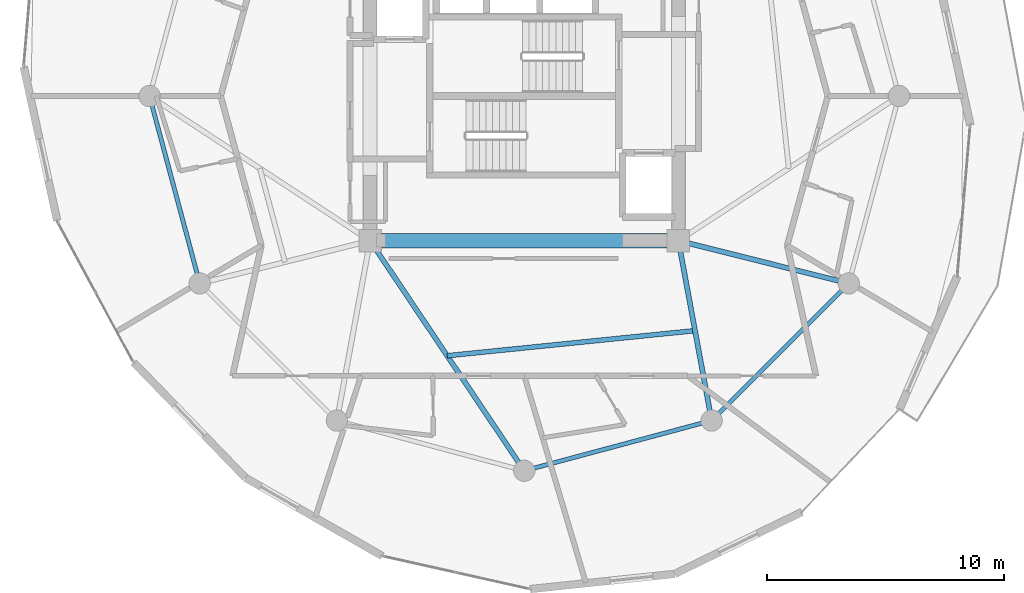
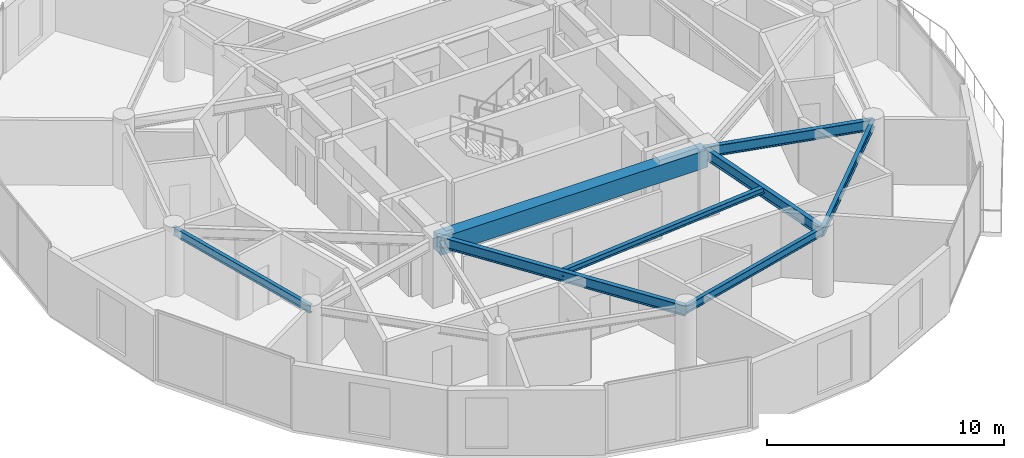
# One storey, part 6 of 23: 8 beams.
"""IFC4 building model written with IfcOpenShell, lengths in metres."""

from ifc_helpers import new_model, si_unit, direction, frame, origin, origin_2d, place, context, subcontext, project, spatial, rectangle, i_section, extrude, material, material_profile, profile_set, type_object, element, save


model = new_model("IFC4")

# Units and contexts
model_context = context("Model", 3, precision=1e-05, world=origin(), true_north=direction((0.0, 1.0)))
body_context = subcontext(model_context, "Body", "Model", "MODEL_VIEW")
ifc_project = project(units=[si_unit("LENGTHUNIT", "METRE"), si_unit("AREAUNIT", "SQUARE_METRE"), si_unit("VOLUMEUNIT", "CUBIC_METRE"), si_unit("PLANEANGLEUNIT", "RADIAN"), si_unit("MASSUNIT", "GRAM", prefix="KILO")], contexts=[model_context])

# Site, building, storey
site_placement = place(None, origin())
site = spatial("IfcSite", under=ifc_project, at=site_placement, CompositionType="ELEMENT")
building_placement = place(site_placement, origin())
building = spatial("IfcBuilding", under=site, at=building_placement, Name="Solvirekh Grand Hotel", CompositionType="ELEMENT")
storey_placement = place(building_placement, frame((0.0, 0.0, 180.39990234375)))
storey = spatial("IfcBuildingStorey", under=building, at=storey_placement, Name="L46", CompositionType="ELEMENT", Elevation=180.39990234375)

# Beams
ifc_material_1 = material(Name="Concrete C50/60", Category="concrete")
ifc_material_profile_1 = material_profile(ifc_material_1, rectangle(XDim=0.60009765625, YDim=0.89990234375, at=origin_2d()), Name="RC BEAM 600X900")
ifc_profile_set_1 = profile_set([ifc_material_profile_1], Name="Concrete C50/60")
beam_type_1 = type_object("IfcBeamType", Name="Beam_Core_RC900", PredefinedType="BEAM", material=ifc_profile_set_1)
beam_1_placement = place(storey_placement, frame((-6.5, -6.10009765625, 2.91015625), z_axis=(1.0, 0.0, 0.0), x_axis=(0.0, 1.0, 0.0)))
element("IfcBeam", 1, at=beam_1_placement, inside=storey, type_object=beam_type_1, Name="L46 core coupling ring beam 1", PredefinedType="BEAM", context=body_context, shape_type="SweptSolid", body=[
    extrude(rectangle(XDim=0.60009765625, YDim=0.89990234375, at=origin_2d()), origin(), (0.0, 0.0, 1.0), 13.0),
])
ifc_material_2 = material(Name="Steel S355", Category="steel")
ifc_material_profile_2 = material_profile(ifc_material_2, i_section(OverallWidth=0.2119140625, OverallDepth=0.5439453125, WebThickness=0.011962890625, FlangeThickness=0.01904296875, FilletRadius=0.013916015625, at=origin_2d()), Name="W530X123")
ifc_profile_set_2 = profile_set([ifc_material_profile_2], Name="Steel S355")
beam_type_2 = type_object("IfcBeamType", Name="Beam_Radial_W530H", PredefinedType="BEAM", material=ifc_profile_set_2)
beam_2_placement = place(storey_placement, frame((-6.5, -6.10009765625, 3.088134765625), z_axis=(0.556676926176, -0.830729077295, 0.0), x_axis=(0.830729077295, 0.556676926176, 0.0)))
element("IfcBeam", 2, at=beam_2_placement, inside=storey, type_object=beam_type_2, Name="L46 radial floor beam R10", PredefinedType="BEAM", context=body_context, shape_type="SweptSolid", body=[
    extrude(i_section(OverallWidth=0.2119140625, OverallDepth=0.5439453125, WebThickness=0.011962890625, FlangeThickness=0.01904296875, FilletRadius=0.013916015625, at=origin_2d()), origin(), (0.0, 0.0, 1.0), 11.676513671875),
])
beam_3_placement = place(storey_placement, frame((6.5, -6.10009765625, 3.088134765625), z_axis=(0.181542769111, -0.983383049978, 0.0), x_axis=(0.983383049978, 0.181542769111, 0.0)))
element("IfcBeam", 3, at=beam_3_placement, inside=storey, type_object=beam_type_2, Name="L46 radial floor beam R11", PredefinedType="BEAM", context=body_context, shape_type="SweptSolid", body=[
    extrude(i_section(OverallWidth=0.2119140625, OverallDepth=0.5439453125, WebThickness=0.011962890625, FlangeThickness=0.01904296875, FilletRadius=0.013916015625, at=origin_2d()), origin(), (0.0, 0.0, 1.0), 7.711181640625),
])
beam_4_placement = place(storey_placement, frame((6.5, -6.10009765625, 3.088134765625), z_axis=(0.970014367692, -0.243047580675, 0.0), x_axis=(0.243047580675, 0.970014367692, 0.0)))
element("IfcBeam", 4, at=beam_4_placement, inside=storey, type_object=beam_type_2, Name="L46 radial floor beam R12", PredefinedType="BEAM", context=body_context, shape_type="SweptSolid", body=[
    extrude(i_section(OverallWidth=0.2119140625, OverallDepth=0.5439453125, WebThickness=0.011962890625, FlangeThickness=0.01904296875, FilletRadius=0.013916015625, at=origin_2d()), origin(), (0.0, 0.0, 1.0), 7.4052734375),
])
ifc_material_profile_3 = material_profile(ifc_material_2, i_section(OverallWidth=0.202880859375, OverallDepth=0.302978515625, WebThickness=0.008056640625, FlangeThickness=0.012939453125, FilletRadius=0.010009765625, at=origin_2d()), Name="W310X60")
ifc_profile_set_3 = profile_set([ifc_material_profile_3], Name="Steel S355")
beam_type_3 = type_object("IfcBeamType", Name="Joist_Floor_W310", PredefinedType="JOIST", material=ifc_profile_set_3)
beam_5_placement = place(storey_placement, frame((-3.25, -10.949951171875, 3.2080078125), z_axis=(0.994915167737, 0.100716478326, 0.0), x_axis=(-0.100716478326, 0.994915167737, 0.0)))
element("IfcBeam", 5, at=beam_5_placement, inside=storey, type_object=beam_type_3, Name="L46 secondary composite floor joist 10", PredefinedType="JOIST", context=body_context, shape_type="SweptSolid", body=[
    extrude(i_section(OverallWidth=0.202880859375, OverallDepth=0.302978515625, WebThickness=0.008056640625, FlangeThickness=0.012939453125, FilletRadius=0.010009765625, at=origin_2d()), origin(), (0.0, 0.0, 1.0), 10.50341796875),
])
ifc_material_profile_4 = material_profile(ifc_material_2, i_section(OverallWidth=0.180908203125, OverallDepth=0.4169921875, WebThickness=0.010009765625, FlangeThickness=0.01611328125, FilletRadius=0.011962890625, at=origin_2d()), Name="W410X85")
ifc_profile_set_4 = profile_set([ifc_material_profile_4], Name="Steel S355")
beam_type_4 = type_object("IfcBeamType", Name="Spandrel_Ring_W410", PredefinedType="SPANDREL", material=ifc_profile_set_4)
for number, where, z_axis, x_axis, name in (
    (6, (-15.800048828125, 0.0, 3.152099609375), (0.258838541915, -0.965920601923, 0.0), (0.965920601923, 0.258838541915, 0.0), "L46 perimeter spandrel beam 7"),
    (7, (0.0, -15.800048828125, 3.152099609375), (0.965920601923, 0.258838541915, 0.0), (-0.258838541915, 0.965920601923, 0.0), "L46 perimeter spandrel beam 10"),
    (8, (7.89990234375, -13.68310546875, 3.152099609375), (0.707106781187, 0.707106781187, 0.0), (-0.707106781187, 0.707106781187, 0.0), "L46 perimeter spandrel beam 11"),
):
    element("IfcBeam", number, at=place(storey_placement, frame(where, z_axis=z_axis, x_axis=x_axis)), inside=storey, type_object=beam_type_4, Name=name, PredefinedType="SPANDREL", context=body_context, shape_type="SweptSolid", body=[
        extrude(i_section(OverallWidth=0.180908203125, OverallDepth=0.4169921875, WebThickness=0.010009765625, FlangeThickness=0.01611328125, FilletRadius=0.011962890625, at=origin_2d()), origin(), (0.0, 0.0, 1.0), 8.1787109375),
    ])

save(model, "model.ifc")
